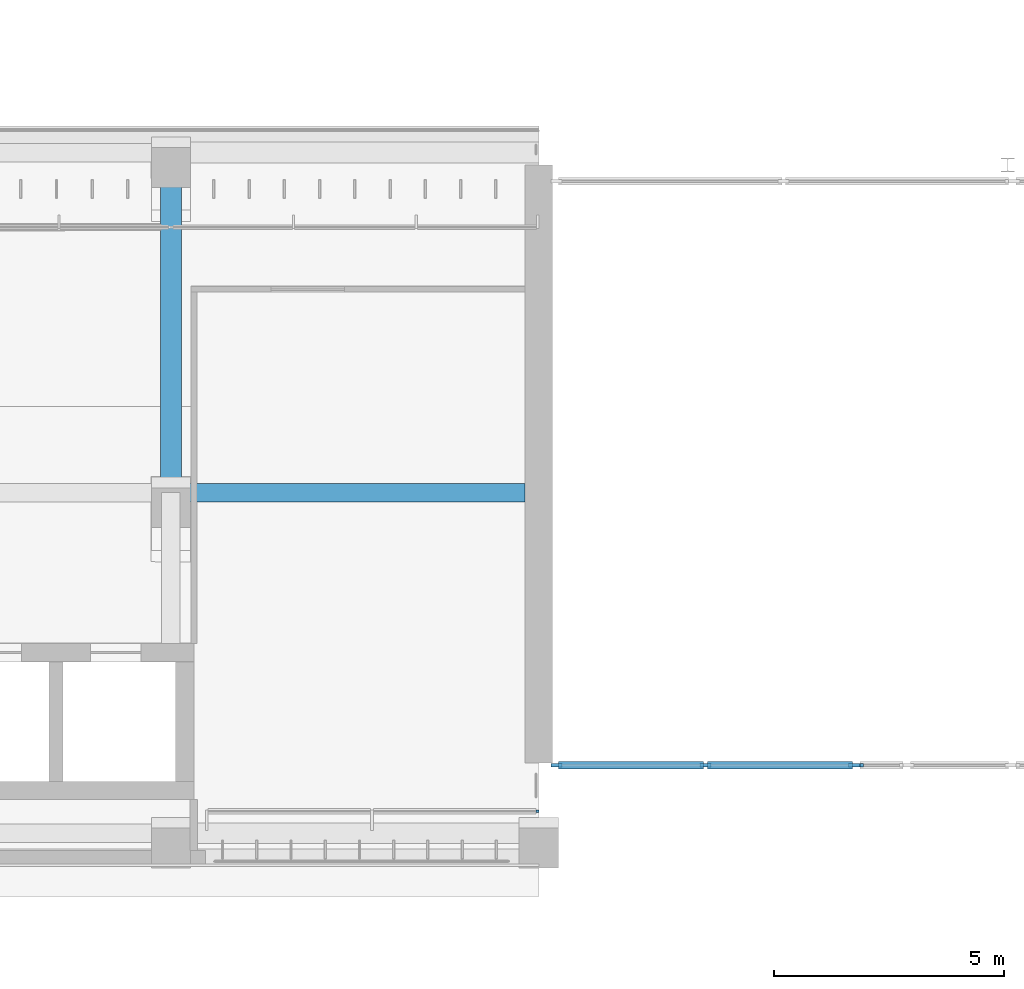
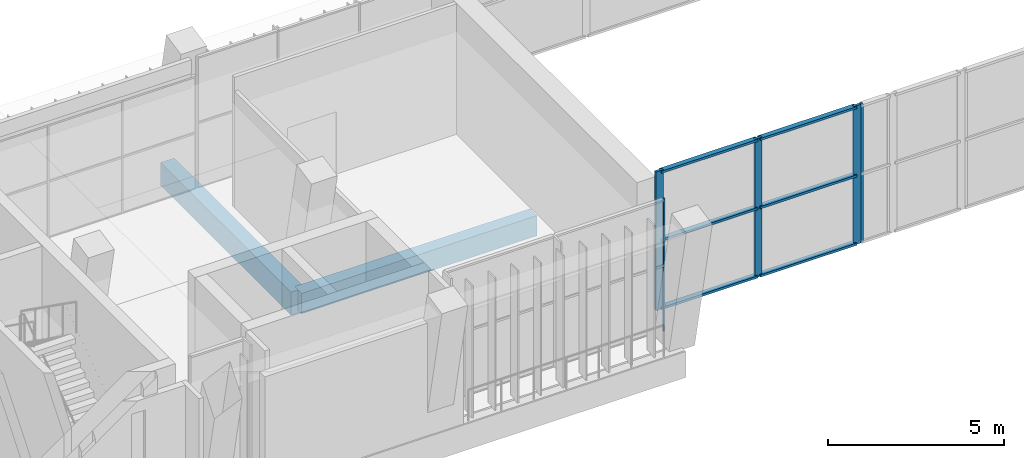
# One storey, part 10 of 92: 11 members, 2 beams, 3 elements without a shape of their own.
"""IFC4 building model written with IfcOpenShell, lengths in metres."""

from ifc_helpers import new_model, si_unit, direction, frame, origin, origin_2d, place, context, subcontext, project, spatial, rectangle, extrude, material, material_profile, profile_set, type_object, element, aggregate, save


model = new_model("IFC4")

# Units and contexts
model_context = context("Model", 3, precision=1e-05, world=origin(), true_north=direction((0.0, 1.0)))
body_context = subcontext(model_context, "Body", "Model", "MODEL_VIEW")
ifc_project = project(units=[si_unit("LENGTHUNIT", "METRE"), si_unit("AREAUNIT", "SQUARE_METRE"), si_unit("VOLUMEUNIT", "CUBIC_METRE"), si_unit("PLANEANGLEUNIT", "RADIAN"), si_unit("MASSUNIT", "GRAM", prefix="KILO")], contexts=[model_context])

# Site, building, storey
site_placement = place(None, origin())
site = spatial("IfcSite", under=ifc_project, at=site_placement, CompositionType="ELEMENT")
building_placement = place(site_placement, origin())
building = spatial("IfcBuilding", under=site, at=building_placement, Name="Lantern Court Media Centre", CompositionType="ELEMENT")
storey_placement = place(building_placement, frame((0.0, 0.0, 4.800048828125)))
storey = spatial("IfcBuildingStorey", under=building, at=storey_placement, Name="L01", CompositionType="ELEMENT", Elevation=4.800048828125)

# Curtain wall, member
ifc_material_1 = material(Name="Curtain wall bay 3000")
curtain_wall_type_1 = type_object("IfcCurtainWallType", Name="Curtain wall bay 3000", PredefinedType="NOTDEFINED", material=ifc_material_1)
curtain_wall_1_placement = place(storey_placement, origin())
curtain_wall_1 = element("IfcCurtainWall", 1, at=curtain_wall_1_placement, inside=storey, type_object=curtain_wall_type_1, Name="Curtain wall S outer L01", PredefinedType="NOTDEFINED")
ifc_material_2 = material(Name="Anodised aluminium", Category="aluminium")
ifc_material_profile_1 = material_profile(ifc_material_2, rectangle(XDim=0.06005859375, YDim=0.06005859375, at=origin_2d()), Name="AL 60x60")
ifc_profile_set_1 = profile_set([ifc_material_profile_1], Name="Anodised aluminium")
member_type_1 = type_object("IfcMemberType", Name="Curtain wall mullion 60x60", PredefinedType="MULLION", material=ifc_profile_set_1)
member_1_placement = place(storey_placement, frame((39.969970703125, 48.14990234375, 0.0), z_axis=(0.0, 0.0, 1.0), x_axis=(0.0, 1.0, 0.0)))
member_1 = element("IfcMember", 2, at=member_1_placement, type_object=member_type_1, Name="CW1 mullion 3", PredefinedType="MULLION", context=body_context, shape_type="SweptSolid", body=[
    extrude(rectangle(XDim=0.06005859375, YDim=0.06005859375, at=origin_2d()), origin(), (0.0, 0.0, 1.0), 4.579833984375),
])
aggregate(curtain_wall_1, [member_1])

# Curtain wall, members
ifc_material_3 = material(Name="Curtain wall bay 4000")
curtain_wall_type_2 = type_object("IfcCurtainWallType", Name="Curtain wall bay 4000", PredefinedType="NOTDEFINED", material=ifc_material_3)
curtain_wall_2_placement = place(storey_placement, origin())
curtain_wall_2 = element("IfcCurtainWall", 3, at=curtain_wall_2_placement, inside=storey, type_object=curtain_wall_type_2, Name="Curtain wall S outer L01", PredefinedType="NOTDEFINED")
ifc_material_profile_2 = material_profile(ifc_material_2, rectangle(XDim=0.080078125, YDim=0.239990234375, at=origin_2d()), Name="AL 80x240")
ifc_profile_set_2 = profile_set([ifc_material_profile_2], Name="Anodised aluminium")
member_type_2 = type_object("IfcMemberType", Name="Curtain wall mullion 80x240", PredefinedType="MULLION", material=ifc_profile_set_2)
member_2_placement = place(storey_placement, frame((40.389892578125, 49.14990234375, 0.0), z_axis=(0.0, 0.0, 1.0), x_axis=(0.0, 1.0, 0.0)))
member_2 = element("IfcMember", 4, at=member_2_placement, type_object=member_type_2, Name="CW3 mullion 1", PredefinedType="MULLION", context=body_context, shape_type="SweptSolid", body=[
    extrude(rectangle(XDim=0.080078125, YDim=0.239990234375, at=origin_2d()), origin(), (0.0, 0.0, 1.0), 4.800048828125),
])
member_3_placement = place(storey_placement, frame((43.625, 49.14990234375, 0.0), z_axis=(0.0, 0.0, 1.0), x_axis=(0.0, 1.0, 0.0)))
member_3 = element("IfcMember", 5, at=member_3_placement, type_object=member_type_2, Name="CW3 mullion 2", PredefinedType="MULLION", context=body_context, shape_type="SweptSolid", body=[
    extrude(rectangle(XDim=0.080078125, YDim=0.239990234375, at=origin_2d()), origin(), (0.0, 0.0, 1.0), 4.800048828125),
])
member_4_placement = place(storey_placement, frame((46.860107421875, 49.14990234375, 0.0), z_axis=(0.0, 0.0, 1.0), x_axis=(0.0, 1.0, 0.0)))
member_4 = element("IfcMember", 6, at=member_4_placement, type_object=member_type_2, Name="CW3 mullion 3", PredefinedType="MULLION", context=body_context, shape_type="SweptSolid", body=[
    extrude(rectangle(XDim=0.080078125, YDim=0.239990234375, at=origin_2d()), origin(), (0.0, 0.0, 1.0), 4.800048828125),
])

# Curtain wall, member
curtain_wall_3_placement = place(storey_placement, origin())
curtain_wall_3 = element("IfcCurtainWall", 7, at=curtain_wall_3_placement, inside=storey, type_object=curtain_wall_type_2, Name="Curtain wall S outer L01", PredefinedType="NOTDEFINED")
member_5_placement = place(storey_placement, frame((46.93994140625, 49.14990234375, 0.0), z_axis=(0.0, 0.0, 1.0), x_axis=(0.0, 1.0, 0.0)))
member_5 = element("IfcMember", 8, at=member_5_placement, type_object=member_type_2, Name="CW3 mullion 1", PredefinedType="MULLION", context=body_context, shape_type="SweptSolid", body=[
    extrude(rectangle(XDim=0.080078125, YDim=0.239990234375, at=origin_2d()), origin(), (0.0, 0.0, 1.0), 4.800048828125),
])
aggregate(curtain_wall_3, [member_5])

# Member
ifc_material_profile_3 = material_profile(ifc_material_2, rectangle(XDim=0.159912109375, YDim=0.080078125, at=origin_2d()), Name="AL 80x160")
ifc_profile_set_3 = profile_set([ifc_material_profile_3], Name="Anodised aluminium")
member_type_3 = type_object("IfcMemberType", Name="Curtain wall transom 160x80", PredefinedType="USERDEFINED", material=ifc_profile_set_3)
member_6_placement = place(storey_placement, frame((40.429931640625, 49.14990234375, 0.0400390625), z_axis=(1.0, 0.0, 0.0), x_axis=(0.0, 1.0, 0.0)))
member_6 = element("IfcMember", 9, at=member_6_placement, type_object=member_type_3, Name="CW3 transom 1.1", ObjectType="TRANSOM", PredefinedType="USERDEFINED", context=body_context, shape_type="SweptSolid", body=[
    extrude(rectangle(XDim=0.159912109375, YDim=0.080078125, at=origin_2d()), origin(), (0.0, 0.0, 1.0), 3.155029296875),
])

member_7_placement = place(storey_placement, frame((40.429931640625, 49.14990234375, 2.39990234375), z_axis=(1.0, 0.0, 0.0), x_axis=(0.0, 1.0, 0.0)))
member_7 = element("IfcMember", 10, at=member_7_placement, type_object=member_type_3, Name="CW3 transom 1.2", ObjectType="TRANSOM", PredefinedType="USERDEFINED", context=body_context, shape_type="SweptSolid", body=[
    extrude(rectangle(XDim=0.159912109375, YDim=0.080078125, at=origin_2d()), origin(), (0.0, 0.0, 1.0), 3.155029296875),
])

member_8_placement = place(storey_placement, frame((40.429931640625, 49.14990234375, 4.760009765625), z_axis=(1.0, 0.0, 0.0), x_axis=(0.0, 1.0, 0.0)))
member_8 = element("IfcMember", 11, at=member_8_placement, type_object=member_type_3, Name="CW3 transom 1.3", ObjectType="TRANSOM", PredefinedType="USERDEFINED", context=body_context, shape_type="SweptSolid", body=[
    extrude(rectangle(XDim=0.159912109375, YDim=0.080078125, at=origin_2d()), origin(), (0.0, 0.0, 1.0), 3.155029296875),
])

member_9_placement = place(storey_placement, frame((43.6650390625, 49.14990234375, 0.0400390625), z_axis=(1.0, 0.0, 0.0), x_axis=(0.0, 1.0, 0.0)))
member_9 = element("IfcMember", 12, at=member_9_placement, type_object=member_type_3, Name="CW3 transom 2.1", ObjectType="TRANSOM", PredefinedType="USERDEFINED", context=body_context, shape_type="SweptSolid", body=[
    extrude(rectangle(XDim=0.159912109375, YDim=0.080078125, at=origin_2d()), origin(), (0.0, 0.0, 1.0), 3.155029296875),
])

member_10_placement = place(storey_placement, frame((43.6650390625, 49.14990234375, 2.39990234375), z_axis=(1.0, 0.0, 0.0), x_axis=(0.0, 1.0, 0.0)))
member_10 = element("IfcMember", 13, at=member_10_placement, type_object=member_type_3, Name="CW3 transom 2.2", ObjectType="TRANSOM", PredefinedType="USERDEFINED", context=body_context, shape_type="SweptSolid", body=[
    extrude(rectangle(XDim=0.159912109375, YDim=0.080078125, at=origin_2d()), origin(), (0.0, 0.0, 1.0), 3.155029296875),
])

member_11_placement = place(storey_placement, frame((43.6650390625, 49.14990234375, 4.760009765625), z_axis=(1.0, 0.0, 0.0), x_axis=(0.0, 1.0, 0.0)))
member_11 = element("IfcMember", 14, at=member_11_placement, type_object=member_type_3, Name="CW3 transom 2.3", ObjectType="TRANSOM", PredefinedType="USERDEFINED", context=body_context, shape_type="SweptSolid", body=[
    extrude(rectangle(XDim=0.159912109375, YDim=0.080078125, at=origin_2d()), origin(), (0.0, 0.0, 1.0), 3.155029296875),
])

aggregate(curtain_wall_2, [member_2, member_3, member_4, member_6, member_7, member_8, member_9, member_10, member_11])

# Beams
ifc_material_4 = material(Name="Concrete C35", Category="concrete")
ifc_material_profile_4 = material_profile(ifc_material_4, rectangle(XDim=0.39990234375, YDim=0.699951171875, at=origin_2d()), Name="RC 400x700")
ifc_profile_set_4 = profile_set([ifc_material_profile_4], Name="Concrete C35")
beam_type_1 = type_object("IfcBeamType", Name="RC BEAM 400x700", PredefinedType="BEAM", material=ifc_profile_set_4)
beam_1_placement = place(storey_placement, frame((32.0, 55.072998046875, -0.35009765625), z_axis=(1.0, 0.0, 0.0), x_axis=(0.0, 1.0, 0.0)))
element("IfcBeam", 15, at=beam_1_placement, inside=storey, type_object=beam_type_1, Name="LB-S-L01-1-1", PredefinedType="BEAM", context=body_context, shape_type="SweptSolid", body=[
    extrude(rectangle(XDim=0.39990234375, YDim=0.699951171875, at=origin_2d()), origin(), (0.0, 0.0, 1.0), 7.699951171875),
])
ifc_material_profile_5 = material_profile(ifc_material_4, rectangle(XDim=0.449951171875, YDim=0.800048828125, at=origin_2d()), Name="RC 450x800")
ifc_profile_set_5 = profile_set([ifc_material_profile_5], Name="Concrete C35")
beam_type_2 = type_object("IfcBeamType", Name="RC BEAM 450x800", PredefinedType="BEAM", material=ifc_profile_set_5)
beam_2_placement = place(storey_placement, frame((32.0, 55.083251953125, -0.400146484375), z_axis=(0.0, 1.0, 0.0), x_axis=(-1.0, 0.0, 0.0)))
element("IfcBeam", 16, at=beam_2_placement, inside=storey, type_object=beam_type_2, Name="TB-S-L01-1-2", PredefinedType="BEAM", context=body_context, shape_type="SweptSolid", body=[
    extrude(rectangle(XDim=0.449951171875, YDim=0.800048828125, at=origin_2d()), origin(), (0.0, 0.0, 1.0), 7.400146484375),
])

save(model, "model.ifc")
